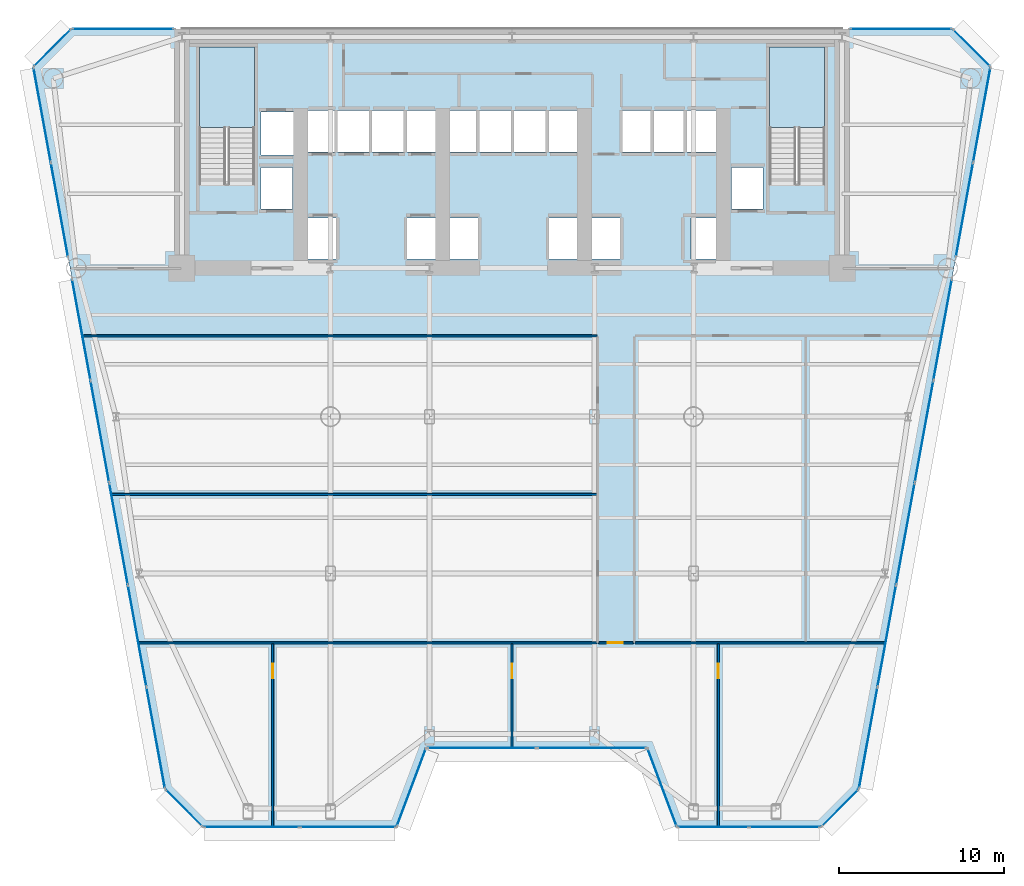
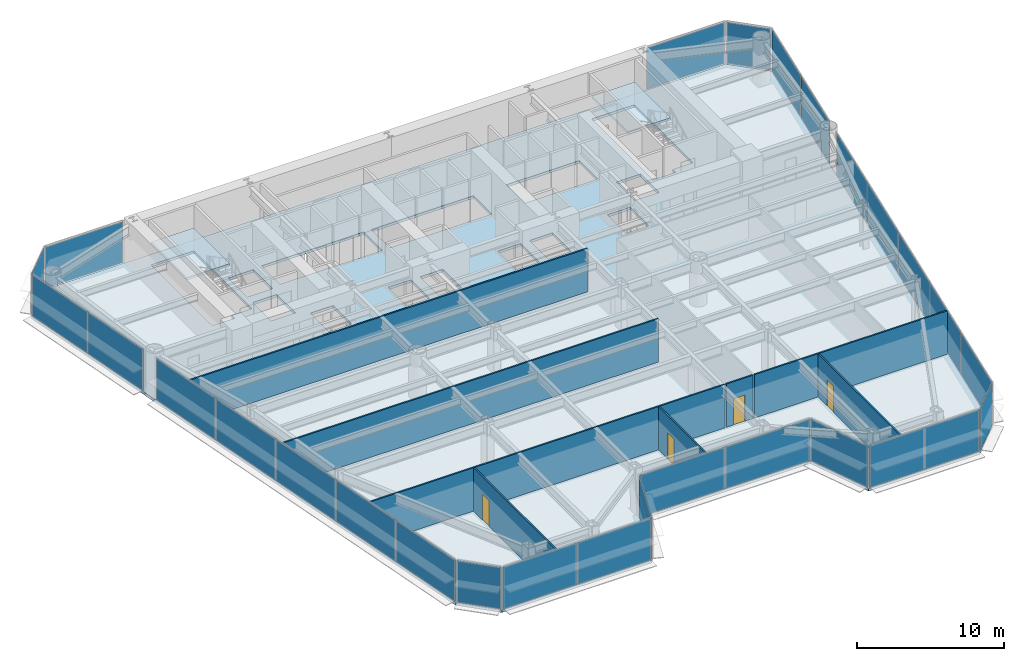
# One storey, part 7 of 14: 28 plates, 8 walls, 4 doors, 3 slabs, 4 openings, 17 elements without a shape of their own.
"""IFC4 building model written with IfcOpenShell, lengths in metres."""

from ifc_helpers import new_model, si_unit, direction, frame, frame_2d, origin, origin_2d, place, context, subcontext, project, spatial, polyline, rectangle, outline, extrude, source, transform, mapped, material, layer, layer_set, type_object, element, fill, aggregate, save


model = new_model("IFC4")

# Units and contexts
model_context = context("Model", 3, precision=1e-05, world=origin(), true_north=direction((0.0, 1.0)))
body_context = subcontext(model_context, "Body", "Model", "MODEL_VIEW")
ifc_project = project(units=[si_unit("LENGTHUNIT", "METRE"), si_unit("AREAUNIT", "SQUARE_METRE"), si_unit("VOLUMEUNIT", "CUBIC_METRE"), si_unit("PLANEANGLEUNIT", "RADIAN"), si_unit("MASSUNIT", "GRAM", prefix="KILO")], contexts=[model_context])

# Site, building, storey
site_placement = place(None, origin())
site = spatial("IfcSite", under=ifc_project, at=site_placement, CompositionType="ELEMENT")
building_placement = place(site_placement, origin())
building = spatial("IfcBuilding", under=site, at=building_placement, Name="Vaeldorn Concourse Tower", CompositionType="ELEMENT")
storey_placement = place(building_placement, frame((0.0, 0.0, 60.60009765625)))
storey = spatial("IfcBuildingStorey", under=building, at=storey_placement, Name="L15", CompositionType="ELEMENT", Elevation=60.60009765625)

# Stair, slab
ifc_material_1 = material(Name="Precast concrete C40/50", Category="concrete")
stair_type = type_object("IfcStairType", Name="STR-DOG-24x158", PredefinedType="HALF_TURN_STAIR", material=ifc_material_1)
stair_1_placement = place(storey_placement, origin())
stair_1 = element("IfcStair", 1, at=stair_1_placement, inside=storey, type_object=stair_type, Name="L15 West Core Exit Stair ST-1", PredefinedType="HALF_TURN_STAIR")
ifc_material_2 = material(Name="Concrete C40/50", Category="concrete")
ifc_layer_1 = layer(ifc_material_2, 0.199951171875)
ifc_layer_set_1 = layer_set([ifc_layer_1], Name="Concrete C40/50")
slab_type_1 = type_object("IfcSlabType", Name="SL-STAIR-LANDING", PredefinedType="LANDING", material=ifc_layer_set_1)
slab_1_placement = place(storey_placement, frame((0.0, 0.0, 1.699951171875)))
slab_1 = element("IfcSlab", 2, at=slab_1_placement, type_object=slab_type_1, Name="ST-1 landing 1", PredefinedType="LANDING", context=body_context, shape_type="SweptSolid", body=[
    extrude(outline(polyline([(18.39990234375, 45.010009765625), (18.39990234375, 49.89990234375), (15.050048828125, 49.89990234375), (15.050048828125, 45.010009765625), (18.39990234375, 45.010009765625)])), origin(), (0.0, 0.0, 1.0), 0.199951171875),
])
aggregate(stair_1, [slab_1])

stair_2_placement = place(storey_placement, origin())
stair_2 = element("IfcStair", 3, at=stair_2_placement, inside=storey, type_object=stair_type, Name="L15 East Core Exit Stair ST-2", PredefinedType="HALF_TURN_STAIR")
slab_2_placement = place(storey_placement, frame((0.0, 0.0, 1.699951171875)))
slab_2 = element("IfcSlab", 4, at=slab_2_placement, type_object=slab_type_1, Name="ST-2 landing 1", PredefinedType="LANDING", context=body_context, shape_type="SweptSolid", body=[
    extrude(outline(polyline([(52.949951171875, 45.010009765625), (52.949951171875, 49.89990234375), (49.60009765625, 49.89990234375), (49.60009765625, 45.010009765625), (52.949951171875, 45.010009765625)])), origin(), (0.0, 0.0, 1.0), 0.199951171875),
])
aggregate(stair_2, [slab_2])

# Slab
ifc_layer_2 = layer(ifc_material_2, 0.219970703125)
ifc_layer_set_2 = layer_set([ifc_layer_2], Name="Concrete C40/50")
slab_type_2 = type_object("IfcSlabType", Name="SL-TYP-220", PredefinedType="FLOOR", material=ifc_layer_set_2)
slab_3_placement = place(storey_placement, frame((0.0, 0.0, -0.22021484375)))
element("IfcSlab", 5, at=slab_3_placement, inside=storey, type_object=slab_type_2, Name="Structural Floor Slab L15", PredefinedType="FLOOR", context=body_context, shape_type="SweptSolid", body=[
    extrude(outline(polyline([(15.281005859375, 2.6298828125), (27.0, 2.6298828125), (28.800048828125, 7.4296875), (42.199951171875, 7.4296875), (44.0, 2.6298828125), (52.718994140625, 2.6298828125), (55.018798828125, 4.9296875), (63.0, 48.699951171875), (60.699951171875, 51.0), (7.300048828125, 51.0), (5.0, 48.699951171875), (12.981201171875, 4.9296875), (15.281005859375, 2.6298828125)]), holes=[polyline([(18.39990234375, 42.0), (18.39990234375, 49.89990234375), (15.050048828125, 49.89990234375), (15.050048828125, 41.60009765625), (16.800048828125, 41.60009765625), (16.800048828125, 42.0), (18.39990234375, 42.0)]), polyline([(52.949951171875, 42.0), (52.949951171875, 49.89990234375), (49.60009765625, 49.89990234375), (49.60009765625, 41.60009765625), (51.35009765625, 41.60009765625), (51.35009765625, 42.0), (52.949951171875, 42.0)]), polyline([(21.550048828125, 37.050048828125), (23.35009765625, 37.050048828125), (23.35009765625, 39.550048828125), (21.550048828125, 39.550048828125), (21.550048828125, 37.050048828125)]), polyline([(27.64990234375, 37.050048828125), (29.449951171875, 37.050048828125), (29.449951171875, 39.550048828125), (27.64990234375, 39.550048828125), (27.64990234375, 37.050048828125)]), polyline([(21.5, 43.550048828125), (29.5, 43.550048828125), (29.5, 46.050048828125), (21.5, 46.050048828125), (21.5, 43.550048828125)]), polyline([(30.14990234375, 37.050048828125), (31.949951171875, 37.050048828125), (31.949951171875, 39.550048828125), (30.14990234375, 39.550048828125), (30.14990234375, 37.050048828125)]), polyline([(36.25, 37.050048828125), (38.050048828125, 37.050048828125), (38.050048828125, 39.550048828125), (36.25, 39.550048828125), (36.25, 37.050048828125)]), polyline([(30.10009765625, 43.550048828125), (38.10009765625, 43.550048828125), (38.10009765625, 46.050048828125), (30.10009765625, 46.050048828125), (30.10009765625, 43.550048828125)]), polyline([(38.75, 37.050048828125), (40.550048828125, 37.050048828125), (40.550048828125, 39.550048828125), (38.75, 39.550048828125), (38.75, 37.050048828125)]), polyline([(44.85009765625, 37.050048828125), (46.64990234375, 37.050048828125), (46.64990234375, 39.550048828125), (44.85009765625, 39.550048828125), (44.85009765625, 37.050048828125)]), polyline([(40.699951171875, 43.550048828125), (46.39990234375, 43.550048828125), (46.39990234375, 46.050048828125), (40.699951171875, 46.050048828125), (40.699951171875, 43.550048828125)]), polyline([(18.800048828125, 43.35009765625), (20.800048828125, 43.35009765625), (20.800048828125, 45.949951171875), (18.800048828125, 45.949951171875), (18.800048828125, 43.35009765625)]), polyline([(18.800048828125, 40.10009765625), (20.699951171875, 40.10009765625), (20.699951171875, 42.60009765625), (18.800048828125, 42.60009765625), (18.800048828125, 40.10009765625)]), polyline([(47.300048828125, 40.10009765625), (49.199951171875, 40.10009765625), (49.199951171875, 42.60009765625), (47.300048828125, 42.60009765625), (47.300048828125, 40.10009765625)])]), origin(), (0.0, 0.0, 1.0), 0.22021484375),
])

# Curtain wall, plate
ifc_material_3 = material(Name="Anodised Bronze Aluminium", Category="aluminium")
ifc_layer_3 = layer(ifc_material_3, 0.219970703125)
ifc_layer_set_3 = layer_set([ifc_layer_3], Name="Anodised Bronze Aluminium")
curtain_wall_type = type_object("IfcCurtainWallType", Name="CW-SYS-01", PredefinedType="NOTDEFINED", material=ifc_layer_set_3)
curtain_wall_1_placement = place(storey_placement, origin())
curtain_wall_1 = element("IfcCurtainWall", 6, at=curtain_wall_1_placement, inside=storey, type_object=curtain_wall_type, Name="Unitised Curtain Wall CW-L15-E02-1", PredefinedType="NOTDEFINED")
ifc_material_4 = material(Name="Bronze Tinted Low-E Insulated Glass", Category="glass")
ifc_layer_4 = layer(ifc_material_4, 0.031982421875)
ifc_layer_set_4 = layer_set([ifc_layer_4], Name="Bronze Tinted Low-E Insulated Glass")
plate_type = type_object("IfcPlateType", Name="CWP-VISION-32", PredefinedType="CURTAIN_PANEL", material=ifc_layer_set_4)
shared_shape_1 = source(origin(), body_context, "Body", "SweptSolid", [
    extrude(rectangle(XDim=4.976318359375, YDim=0.031982421875, at=origin_2d()), origin(), (0.0, 0.0, 1.0), 3.429931640625),
])
plate_1_placement = place(storey_placement, frame((27.89990234375, 5.02978515625, 0.07470703125), z_axis=(0.0, 0.0, 1.0), x_axis=(0.351123441595, 0.936329177566, 0.0)))
plate_1 = element("IfcPlate", 7, at=plate_1_placement, type_object=plate_type, Name="CW-01 panel 1.1", PredefinedType="CURTAIN_PANEL", context=body_context, shape_type="MappedRepresentation", body=[
    mapped(shared_shape_1, transform((0.0, 0.0, 0.0), scale=1.0)),
])
aggregate(curtain_wall_1, [plate_1])

curtain_wall_2_placement = place(storey_placement, origin())
curtain_wall_2 = element("IfcCurtainWall", 8, at=curtain_wall_2_placement, inside=storey, type_object=curtain_wall_type, Name="Unitised Curtain Wall CW-L15-E04-1", PredefinedType="NOTDEFINED")
plate_2_placement = place(storey_placement, frame((43.10009765625, 5.02978515625, 0.07470703125), z_axis=(0.0, 0.0, 1.0), x_axis=(0.351123441595, -0.936329177566, 0.0)))
plate_2 = element("IfcPlate", 9, at=plate_2_placement, type_object=plate_type, Name="CW-01 panel 1.1", PredefinedType="CURTAIN_PANEL", context=body_context, shape_type="MappedRepresentation", body=[
    mapped(shared_shape_1, transform((0.0, 0.0, 0.0), scale=1.0)),
])
aggregate(curtain_wall_2, [plate_2])

# Curtain wall, plates
curtain_wall_3_placement = place(storey_placement, origin())
curtain_wall_3 = element("IfcCurtainWall", 10, at=curtain_wall_3_placement, inside=storey, type_object=curtain_wall_type, Name="Unitised Curtain Wall CW-L15-E03-1", PredefinedType="NOTDEFINED")
shared_shape_2 = source(origin(), body_context, "Body", "SweptSolid", [
    extrude(rectangle(XDim=6.58740234375, YDim=0.031982421875, at=origin_2d()), origin(), (0.0, 0.0, 1.0), 3.429931640625),
])
plate_3_placement = place(storey_placement, frame((32.168701171875, 7.4296875, 0.07470703125), z_axis=(0.0, 0.0, 1.0), x_axis=(1.0, 0.0, 0.0)))
plate_3 = element("IfcPlate", 11, at=plate_3_placement, type_object=plate_type, Name="CW-01 panel 1.1", PredefinedType="CURTAIN_PANEL", context=body_context, shape_type="MappedRepresentation", body=[
    mapped(shared_shape_2, transform((0.0, 0.0, 0.0), scale=1.0)),
])
plate_4_placement = place(storey_placement, frame((38.831298828125, 7.4296875, 0.07470703125), z_axis=(0.0, 0.0, 1.0), x_axis=(1.0, 0.0, 0.0)))
plate_4 = element("IfcPlate", 12, at=plate_4_placement, type_object=plate_type, Name="CW-01 panel 2.1", PredefinedType="CURTAIN_PANEL", context=body_context, shape_type="MappedRepresentation", body=[
    mapped(shared_shape_2, transform((0.0, 0.0, 0.0), scale=1.0)),
])
aggregate(curtain_wall_3, [plate_3, plate_4])

# Curtain wall, plate
curtain_wall_4_placement = place(storey_placement, origin())
curtain_wall_4 = element("IfcCurtainWall", 13, at=curtain_wall_4_placement, inside=storey, type_object=curtain_wall_type, Name="Unitised Curtain Wall CW-L15-E06-1", PredefinedType="NOTDEFINED")
shared_shape_3 = source(origin(), body_context, "Body", "SweptSolid", [
    extrude(rectangle(XDim=3.102783203125, YDim=0.031982421875, at=origin_2d()), origin(), (0.0, 0.0, 1.0), 3.429931640625),
])
plate_5_placement = place(storey_placement, frame((53.868896484375, 3.77978515625, 0.07470703125), z_axis=(0.0, 0.0, 1.0), x_axis=(0.707106781187, 0.707106781187, 0.0)))
plate_5 = element("IfcPlate", 14, at=plate_5_placement, type_object=plate_type, Name="CW-01 panel 1.1", PredefinedType="CURTAIN_PANEL", context=body_context, shape_type="MappedRepresentation", body=[
    mapped(shared_shape_3, transform((0.0, 0.0, 0.0), scale=1.0)),
])
aggregate(curtain_wall_4, [plate_5])

curtain_wall_5_placement = place(storey_placement, origin())
curtain_wall_5 = element("IfcCurtainWall", 15, at=curtain_wall_5_placement, inside=storey, type_object=curtain_wall_type, Name="Unitised Curtain Wall CW-L15-E08-1", PredefinedType="NOTDEFINED")
plate_6_placement = place(storey_placement, frame((61.85009765625, 49.85009765625, 0.07470703125), z_axis=(0.0, 0.0, 1.0), x_axis=(-0.707106781187, 0.707106781187, 0.0)))
plate_6 = element("IfcPlate", 16, at=plate_6_placement, type_object=plate_type, Name="CW-01 panel 1.1", PredefinedType="CURTAIN_PANEL", context=body_context, shape_type="MappedRepresentation", body=[
    mapped(shared_shape_3, transform((0.0, 0.0, 0.0), scale=1.0)),
])
aggregate(curtain_wall_5, [plate_6])

curtain_wall_6_placement = place(storey_placement, origin())
curtain_wall_6 = element("IfcCurtainWall", 17, at=curtain_wall_6_placement, inside=storey, type_object=curtain_wall_type, Name="Unitised Curtain Wall CW-L15-E10-1", PredefinedType="NOTDEFINED")
plate_7_placement = place(storey_placement, frame((6.14990234375, 49.85009765625, 0.07470703125), z_axis=(0.0, 0.0, 1.0), x_axis=(-0.707106781187, -0.707106781187, 0.0)))
plate_7 = element("IfcPlate", 18, at=plate_7_placement, type_object=plate_type, Name="CW-01 panel 1.1", PredefinedType="CURTAIN_PANEL", context=body_context, shape_type="MappedRepresentation", body=[
    mapped(shared_shape_3, transform((0.0, 0.0, 0.0), scale=1.0)),
])
aggregate(curtain_wall_6, [plate_7])

curtain_wall_7_placement = place(storey_placement, origin())
curtain_wall_7 = element("IfcCurtainWall", 19, at=curtain_wall_7_placement, inside=storey, type_object=curtain_wall_type, Name="Unitised Curtain Wall CW-L15-E12-1", PredefinedType="NOTDEFINED")
plate_8_placement = place(storey_placement, frame((14.131103515625, 3.77978515625, 0.07470703125), z_axis=(0.0, 0.0, 1.0), x_axis=(0.707106781187, -0.707106781187, 0.0)))
plate_8 = element("IfcPlate", 20, at=plate_8_placement, type_object=plate_type, Name="CW-01 panel 1.1", PredefinedType="CURTAIN_PANEL", context=body_context, shape_type="MappedRepresentation", body=[
    mapped(shared_shape_3, transform((0.0, 0.0, 0.0), scale=1.0)),
])
aggregate(curtain_wall_7, [plate_8])

curtain_wall_8_placement = place(storey_placement, origin())
curtain_wall_8 = element("IfcCurtainWall", 21, at=curtain_wall_8_placement, inside=storey, type_object=curtain_wall_type, Name="Unitised Curtain Wall CW-L15-E09-1", PredefinedType="NOTDEFINED")
shared_shape_4 = source(origin(), body_context, "Body", "SweptSolid", [
    extrude(rectangle(XDim=6.10498046875, YDim=0.031982421875, at=origin_2d()), origin(), (0.0, 0.0, 1.0), 3.429931640625),
])
plate_9_placement = place(storey_placement, frame((57.572509765625, 51.0, 0.07470703125), z_axis=(0.0, 0.0, 1.0), x_axis=(-1.0, 0.0, 0.0)))
plate_9 = element("IfcPlate", 22, at=plate_9_placement, type_object=plate_type, Name="CW-01 panel 1.1", PredefinedType="CURTAIN_PANEL", context=body_context, shape_type="MappedRepresentation", body=[
    mapped(shared_shape_4, transform((0.0, 0.0, 0.0), scale=1.0)),
])
aggregate(curtain_wall_8, [plate_9])

curtain_wall_9_placement = place(storey_placement, origin())
curtain_wall_9 = element("IfcCurtainWall", 23, at=curtain_wall_9_placement, inside=storey, type_object=curtain_wall_type, Name="Unitised Curtain Wall CW-L15-E09-2", PredefinedType="NOTDEFINED")
plate_10_placement = place(storey_placement, frame((10.427490234375, 51.0, 0.07470703125), z_axis=(0.0, 0.0, 1.0), x_axis=(-1.0, 0.0, 0.0)))
plate_10 = element("IfcPlate", 24, at=plate_10_placement, type_object=plate_type, Name="CW-01 panel 1.1", PredefinedType="CURTAIN_PANEL", context=body_context, shape_type="MappedRepresentation", body=[
    mapped(shared_shape_4, transform((0.0, 0.0, 0.0), scale=1.0)),
])
aggregate(curtain_wall_9, [plate_10])

# Curtain wall, plates
curtain_wall_10_placement = place(storey_placement, origin())
curtain_wall_10 = element("IfcCurtainWall", 25, at=curtain_wall_10_placement, inside=storey, type_object=curtain_wall_type, Name="Unitised Curtain Wall CW-L15-E07-2", PredefinedType="NOTDEFINED")
shared_shape_5 = source(origin(), body_context, "Body", "SweptSolid", [
    extrude(rectangle(XDim=5.773193359375, YDim=0.031982421875, at=origin_2d()), origin(), (0.0, 0.0, 1.0), 3.429931640625),
])
plate_11_placement = place(storey_placement, frame((61.419677734375, 40.032958984375, 0.07470703125), z_axis=(0.0, 0.0, 1.0), x_axis=(0.179383298246, 0.983779259951, 0.0)))
plate_11 = element("IfcPlate", 26, at=plate_11_placement, type_object=plate_type, Name="CW-01 panel 1.1", PredefinedType="CURTAIN_PANEL", context=body_context, shape_type="MappedRepresentation", body=[
    mapped(shared_shape_5, transform((0.0, 0.0, 0.0), scale=1.0)),
])
plate_12_placement = place(storey_placement, frame((62.46875, 45.786376953125, 0.07470703125), z_axis=(0.0, 0.0, 1.0), x_axis=(0.179383298246, 0.983779259951, 0.0)))
plate_12 = element("IfcPlate", 27, at=plate_12_placement, type_object=plate_type, Name="CW-01 panel 2.1", PredefinedType="CURTAIN_PANEL", context=body_context, shape_type="MappedRepresentation", body=[
    mapped(shared_shape_5, transform((0.0, 0.0, 0.0), scale=1.0)),
])
aggregate(curtain_wall_10, [plate_11, plate_12])

curtain_wall_11_placement = place(storey_placement, origin())
curtain_wall_11 = element("IfcCurtainWall", 28, at=curtain_wall_11_placement, inside=storey, type_object=curtain_wall_type, Name="Unitised Curtain Wall CW-L15-E11-1", PredefinedType="NOTDEFINED")
plate_13_placement = place(storey_placement, frame((5.53125, 45.786376953125, 0.07470703125), z_axis=(0.0, 0.0, 1.0), x_axis=(0.179383298246, -0.983779259951, 0.0)))
plate_13 = element("IfcPlate", 29, at=plate_13_placement, type_object=plate_type, Name="CW-01 panel 1.1", PredefinedType="CURTAIN_PANEL", context=body_context, shape_type="MappedRepresentation", body=[
    mapped(shared_shape_5, transform((0.0, 0.0, 0.0), scale=1.0)),
])
plate_14_placement = place(storey_placement, frame((6.580322265625, 40.032958984375, 0.07470703125), z_axis=(0.0, 0.0, 1.0), x_axis=(0.179383298246, -0.983779259951, 0.0)))
plate_14 = element("IfcPlate", 30, at=plate_14_placement, type_object=plate_type, Name="CW-01 panel 2.1", PredefinedType="CURTAIN_PANEL", context=body_context, shape_type="MappedRepresentation", body=[
    mapped(shared_shape_5, transform((0.0, 0.0, 0.0), scale=1.0)),
])
aggregate(curtain_wall_11, [plate_13, plate_14])

curtain_wall_12_placement = place(storey_placement, origin())
curtain_wall_12 = element("IfcCurtainWall", 31, at=curtain_wall_12_placement, inside=storey, type_object=curtain_wall_type, Name="Unitised Curtain Wall CW-L15-E01-1", PredefinedType="NOTDEFINED")
shared_shape_6 = source(origin(), body_context, "Body", "SweptSolid", [
    extrude(rectangle(XDim=5.7470703125, YDim=0.031982421875, at=origin_2d()), origin(), (0.0, 0.0, 1.0), 3.429931640625),
])
plate_15_placement = place(storey_placement, frame((18.2294921875, 2.6298828125, 0.07470703125), z_axis=(0.0, 0.0, 1.0), x_axis=(1.0, 0.0, 0.0)))
plate_15 = element("IfcPlate", 32, at=plate_15_placement, type_object=plate_type, Name="CW-01 panel 1.1", PredefinedType="CURTAIN_PANEL", context=body_context, shape_type="MappedRepresentation", body=[
    mapped(shared_shape_6, transform((0.0, 0.0, 0.0), scale=1.0)),
])
plate_16_placement = place(storey_placement, frame((24.051513671875, 2.6298828125, 0.07470703125), z_axis=(0.0, 0.0, 1.0), x_axis=(1.0, 0.0, 0.0)))
plate_16 = element("IfcPlate", 33, at=plate_16_placement, type_object=plate_type, Name="CW-01 panel 2.1", PredefinedType="CURTAIN_PANEL", context=body_context, shape_type="MappedRepresentation", body=[
    mapped(shared_shape_6, transform((0.0, 0.0, 0.0), scale=1.0)),
])
aggregate(curtain_wall_12, [plate_15, plate_16])

curtain_wall_13_placement = place(storey_placement, origin())
curtain_wall_13 = element("IfcCurtainWall", 34, at=curtain_wall_13_placement, inside=storey, type_object=curtain_wall_type, Name="Unitised Curtain Wall CW-L15-E05-1", PredefinedType="NOTDEFINED")
shared_shape_7 = source(origin(), body_context, "Body", "SweptSolid", [
    extrude(rectangle(XDim=4.2470703125, YDim=0.031982421875, at=origin_2d()), origin(), (0.0, 0.0, 1.0), 3.429931640625),
])
plate_17_placement = place(storey_placement, frame((46.198486328125, 2.6298828125, 0.07470703125), z_axis=(0.0, 0.0, 1.0), x_axis=(1.0, 0.0, 0.0)))
plate_17 = element("IfcPlate", 35, at=plate_17_placement, type_object=plate_type, Name="CW-01 panel 1.1", PredefinedType="CURTAIN_PANEL", context=body_context, shape_type="MappedRepresentation", body=[
    mapped(shared_shape_7, transform((0.0, 0.0, 0.0), scale=1.0)),
])
plate_18_placement = place(storey_placement, frame((50.5205078125, 2.6298828125, 0.07470703125), z_axis=(0.0, 0.0, 1.0), x_axis=(1.0, 0.0, 0.0)))
plate_18 = element("IfcPlate", 36, at=plate_18_placement, type_object=plate_type, Name="CW-01 panel 2.1", PredefinedType="CURTAIN_PANEL", context=body_context, shape_type="MappedRepresentation", body=[
    mapped(shared_shape_7, transform((0.0, 0.0, 0.0), scale=1.0)),
])
aggregate(curtain_wall_13, [plate_17, plate_18])

curtain_wall_14_placement = place(storey_placement, origin())
curtain_wall_14 = element("IfcCurtainWall", 37, at=curtain_wall_14_placement, inside=storey, type_object=curtain_wall_type, Name="Unitised Curtain Wall CW-L15-E07-1", PredefinedType="NOTDEFINED")
shared_shape_8 = source(origin(), body_context, "Body", "SweptSolid", [
    extrude(rectangle(XDim=6.1796875, YDim=0.031982421875, at=origin_2d()), origin(), (0.0, 0.0, 1.0), 3.429931640625),
])
plate_19_placement = place(storey_placement, frame((55.586669921875, 8.043212890625, 0.07470703125), z_axis=(0.0, 0.0, 1.0), x_axis=(0.179383860553, 0.98377915742, 0.0)))
plate_19 = element("IfcPlate", 38, at=plate_19_placement, type_object=plate_type, Name="CW-01 panel 1.1", PredefinedType="CURTAIN_PANEL", context=body_context, shape_type="MappedRepresentation", body=[
    mapped(shared_shape_8, transform((0.0, 0.0, 0.0), scale=1.0)),
])
plate_20_placement = place(storey_placement, frame((60.0947265625, 32.76708984375, 0.07470703125), z_axis=(0.0, 0.0, 1.0), x_axis=(0.179383860553, 0.98377915742, 0.0)))
plate_20 = element("IfcPlate", 39, at=plate_20_placement, type_object=plate_type, Name="CW-01 panel 5.1", PredefinedType="CURTAIN_PANEL", context=body_context, shape_type="MappedRepresentation", body=[
    mapped(shared_shape_8, transform((0.0, 0.0, 0.0), scale=1.0)),
])

curtain_wall_15_placement = place(storey_placement, origin())
curtain_wall_15 = element("IfcCurtainWall", 40, at=curtain_wall_15_placement, inside=storey, type_object=curtain_wall_type, Name="Unitised Curtain Wall CW-L15-E11-2", PredefinedType="NOTDEFINED")
plate_21_placement = place(storey_placement, frame((7.9052734375, 32.76708984375, 0.07470703125), z_axis=(0.0, 0.0, 1.0), x_axis=(0.179383860553, -0.98377915742, 0.0)))
plate_21 = element("IfcPlate", 41, at=plate_21_placement, type_object=plate_type, Name="CW-01 panel 1.1", PredefinedType="CURTAIN_PANEL", context=body_context, shape_type="MappedRepresentation", body=[
    mapped(shared_shape_8, transform((0.0, 0.0, 0.0), scale=1.0)),
])
plate_22_placement = place(storey_placement, frame((12.413330078125, 8.043212890625, 0.07470703125), z_axis=(0.0, 0.0, 1.0), x_axis=(0.179383860553, -0.98377915742, 0.0)))
plate_22 = element("IfcPlate", 42, at=plate_22_placement, type_object=plate_type, Name="CW-01 panel 5.1", PredefinedType="CURTAIN_PANEL", context=body_context, shape_type="MappedRepresentation", body=[
    mapped(shared_shape_8, transform((0.0, 0.0, 0.0), scale=1.0)),
])

# Plate
shared_shape_9 = source(origin(), body_context, "Body", "SweptSolid", [
    extrude(rectangle(XDim=6.21728515625, YDim=0.031982421875, at=origin_2d()), origin(), (0.0, 0.0, 1.0), 3.429931640625),
])
plate_23_placement = place(storey_placement, frame((56.7119140625, 14.215087890625, 0.07470703125), z_axis=(0.0, 0.0, 1.0), x_axis=(0.179383860553, 0.98377915742, 0.0)))
plate_23 = element("IfcPlate", 43, at=plate_23_placement, type_object=plate_type, Name="CW-01 panel 2.1", PredefinedType="CURTAIN_PANEL", context=body_context, shape_type="MappedRepresentation", body=[
    mapped(shared_shape_9, transform((0.0, 0.0, 0.0), scale=1.0)),
])

plate_24_placement = place(storey_placement, frame((57.8408203125, 20.405029296875, 0.07470703125), z_axis=(0.0, 0.0, 1.0), x_axis=(0.179383860553, 0.98377915742, 0.0)))
plate_24 = element("IfcPlate", 44, at=plate_24_placement, type_object=plate_type, Name="CW-01 panel 3.1", PredefinedType="CURTAIN_PANEL", context=body_context, shape_type="MappedRepresentation", body=[
    mapped(shared_shape_9, transform((0.0, 0.0, 0.0), scale=1.0)),
])

plate_25_placement = place(storey_placement, frame((58.969482421875, 26.59521484375, 0.07470703125), z_axis=(0.0, 0.0, 1.0), x_axis=(0.179383860553, 0.98377915742, 0.0)))
plate_25 = element("IfcPlate", 45, at=plate_25_placement, type_object=plate_type, Name="CW-01 panel 4.1", PredefinedType="CURTAIN_PANEL", context=body_context, shape_type="MappedRepresentation", body=[
    mapped(shared_shape_9, transform((0.0, 0.0, 0.0), scale=1.0)),
])

aggregate(curtain_wall_14, [plate_19, plate_23, plate_24, plate_25, plate_20])

plate_26_placement = place(storey_placement, frame((9.030517578125, 26.59521484375, 0.07470703125), z_axis=(0.0, 0.0, 1.0), x_axis=(0.179383860553, -0.98377915742, 0.0)))
plate_26 = element("IfcPlate", 46, at=plate_26_placement, type_object=plate_type, Name="CW-01 panel 2.1", PredefinedType="CURTAIN_PANEL", context=body_context, shape_type="MappedRepresentation", body=[
    mapped(shared_shape_9, transform((0.0, 0.0, 0.0), scale=1.0)),
])

plate_27_placement = place(storey_placement, frame((10.1591796875, 20.405029296875, 0.07470703125), z_axis=(0.0, 0.0, 1.0), x_axis=(0.179383860553, -0.98377915742, 0.0)))
plate_27 = element("IfcPlate", 47, at=plate_27_placement, type_object=plate_type, Name="CW-01 panel 3.1", PredefinedType="CURTAIN_PANEL", context=body_context, shape_type="MappedRepresentation", body=[
    mapped(shared_shape_9, transform((0.0, 0.0, 0.0), scale=1.0)),
])

plate_28_placement = place(storey_placement, frame((11.2880859375, 14.215087890625, 0.07470703125), z_axis=(0.0, 0.0, 1.0), x_axis=(0.179383860553, -0.98377915742, 0.0)))
plate_28 = element("IfcPlate", 48, at=plate_28_placement, type_object=plate_type, Name="CW-01 panel 4.1", PredefinedType="CURTAIN_PANEL", context=body_context, shape_type="MappedRepresentation", body=[
    mapped(shared_shape_9, transform((0.0, 0.0, 0.0), scale=1.0)),
])

aggregate(curtain_wall_15, [plate_21, plate_26, plate_27, plate_28, plate_22])

# Wall
ifc_material_5 = material(Name="Gypsum Board Partition", Category="gypsum")
ifc_layer_5 = layer(ifc_material_5, 0.1201171875)
ifc_layer_set_5 = layer_set([ifc_layer_5], Name="Gypsum Board Partition")
wall_type = type_object("IfcWallType", Name="WL-PART-120", PredefinedType="PARTITIONING", material=ifc_layer_set_5)
wall_1_placement = place(storey_placement, frame((8.01220703125, 32.39990234375, 0.0), z_axis=(0.0, 0.0, 1.0), x_axis=(1.0, 0.0, 0.0)))
element("IfcWall", 49, at=wall_1_placement, inside=storey, type_object=wall_type, Name="Interior Wall PW-L15-C2SW", PredefinedType="PARTITIONING", context=body_context, shape_type="SweptSolid", body=[
    extrude(rectangle(XDim=31.127685546875, YDim=0.1201171875, at=frame_2d((15.56396484375, 0.0))), origin(), (0.0, 0.0, 1.0), 3.579833984375),
])

# Wall, opening, door
wall_2_placement = place(storey_placement, frame((39.260009765625, 13.800048828125, 0.0), z_axis=(0.0, 0.0, 1.0), x_axis=(1.0, 0.0, 0.0)))
wall_2 = element("IfcWall", 50, at=wall_2_placement, inside=storey, type_object=wall_type, Name="Interior Wall PW-L15-SP2S", PredefinedType="PARTITIONING", context=body_context, shape_type="SweptSolid", body=[
    extrude(rectangle(XDim=2.080078125, YDim=0.1201171875, at=frame_2d((1.0400390625, 0.0))), origin(), (0.0, 0.0, 1.0), 3.579833984375),
])
opening_1_placement = place(wall_2_placement, frame((0.550048828125, 0.0, 0.0)))
opening_1 = element("IfcOpeningElement", 51, at=opening_1_placement, cuts=wall_2, Name="Opening D-03", PredefinedType="OPENING", context=body_context, shape_type="SweptSolid", body=[
    extrude(rectangle(XDim=0.89990234375, YDim=2.14990234375, at=frame_2d((0.449951171875, 1.074951171875))), frame((0.0, 0.070068359375, 0.0), z_axis=(0.0, -1.0, 0.0), x_axis=(1.0, 0.0, 0.0)), (0.0, 0.0, 1.0), 0.14013671875),
])
ifc_material_6 = material(Name="Acoustic Bronze-Framed Glass Door", Category="glass")
door_type = type_object("IfcDoorType", Name="DR-INT-900", OperationType="NOTDEFINED", PredefinedType="DOOR", material=ifc_material_6)
shared_shape_10 = source(origin(), body_context, "Body", "SweptSolid", [
    extrude(rectangle(XDim=0.89990234375, YDim=2.14990234375, at=frame_2d((0.449951171875, 1.074951171875))), frame((0.0, 0.02490234375, 0.0), z_axis=(0.0, -1.0, 0.0), x_axis=(1.0, 0.0, 0.0)), (0.0, 0.0, 1.0), 0.050048828125),
])
door_1_placement = place(opening_1_placement, origin())
door_1 = element("IfcDoor", 52, at=door_1_placement, inside=storey, type_object=door_type, Name="Interior Door DR-L15-Z2SFM", OperationType="SINGLE_SWING_LEFT", OverallHeight=2.14990234375, OverallWidth=0.89990234375, PredefinedType="DOOR", context=body_context, shape_type="MappedRepresentation", body=[
    mapped(shared_shape_10, transform((0.0, 0.0, 0.0), scale=1.0)),
])
fill(opening_1, door_1)

# Walls
wall_3_placement = place(storey_placement, frame((11.40380859375, 13.800048828125, 0.0), z_axis=(0.0, 0.0, 1.0), x_axis=(1.0, 0.0, 0.0)))
element("IfcWall", 53, at=wall_3_placement, inside=storey, type_object=wall_type, Name="Interior Wall PW-L15-S2WL", PredefinedType="PARTITIONING", context=body_context, shape_type="SweptSolid", body=[
    extrude(rectangle(XDim=27.736083984375, YDim=0.1201171875, at=frame_2d((13.8681640625, 0.0))), origin(), (0.0, 0.0, 1.0), 3.579833984375),
])
wall_4_placement = place(storey_placement, frame((41.4599609375, 13.800048828125, 0.0), z_axis=(0.0, 0.0, 1.0), x_axis=(1.0, 0.0, 0.0)))
element("IfcWall", 54, at=wall_4_placement, inside=storey, type_object=wall_type, Name="Interior Wall PW-L15-S2EL", PredefinedType="PARTITIONING", context=body_context, shape_type="SweptSolid", body=[
    extrude(rectangle(XDim=15.13623046875, YDim=0.1201171875, at=frame_2d((7.568115234375, 0.0))), origin(), (0.0, 0.0, 1.0), 3.579833984375),
])

# Wall, opening, door
wall_5_placement = place(storey_placement, frame((19.5, 2.669921875, 0.0), z_axis=(0.0, 0.0, 1.0), x_axis=(0.0, 1.0, 0.0)))
wall_5 = element("IfcWall", 55, at=wall_5_placement, inside=storey, type_object=wall_type, Name="Interior Wall PW-L15-Z2SFX1", PredefinedType="PARTITIONING", context=body_context, shape_type="SweptSolid", body=[
    extrude(rectangle(XDim=11.070068359375, YDim=0.1201171875, at=frame_2d((5.53515625, 0.0))), origin(), (0.0, 0.0, 1.0), 3.579833984375),
])
opening_2_placement = place(wall_5_placement, frame((8.969970703125, 0.0, 0.0)))
opening_2 = element("IfcOpeningElement", 56, at=opening_2_placement, cuts=wall_5, Name="Opening D-03", PredefinedType="OPENING", context=body_context, shape_type="SweptSolid", body=[
    extrude(rectangle(XDim=0.89990234375, YDim=2.14990234375, at=frame_2d((0.449951171875, 1.074951171875))), frame((0.0, 0.070068359375, 0.0), z_axis=(0.0, -1.0, 0.0), x_axis=(1.0, 0.0, 0.0)), (0.0, 0.0, 1.0), 0.14013671875),
])
door_2_placement = place(opening_2_placement, origin())
door_2 = element("IfcDoor", 57, at=door_2_placement, inside=storey, type_object=door_type, Name="Interior Door DR-L15-Z2SFX1", OperationType="SINGLE_SWING_RIGHT", OverallHeight=2.14990234375, OverallWidth=0.89990234375, PredefinedType="DOOR", context=body_context, shape_type="MappedRepresentation", body=[
    mapped(shared_shape_10, transform((0.0, 0.0, 0.0), scale=1.0)),
])
fill(opening_2, door_2)

wall_6_placement = place(storey_placement, frame((34.0, 7.4697265625, 0.0), z_axis=(0.0, 0.0, 1.0), x_axis=(0.0, 1.0, 0.0)))
wall_6 = element("IfcWall", 58, at=wall_6_placement, inside=storey, type_object=wall_type, Name="Interior Wall PW-L15-Z2SFX2", PredefinedType="PARTITIONING", context=body_context, shape_type="SweptSolid", body=[
    extrude(rectangle(XDim=6.270263671875, YDim=0.1201171875, at=frame_2d((3.13525390625, 0.0))), origin(), (0.0, 0.0, 1.0), 3.579833984375),
])
opening_3_placement = place(wall_6_placement, frame((4.169921875, 0.0, 0.0)))
opening_3 = element("IfcOpeningElement", 59, at=opening_3_placement, cuts=wall_6, Name="Opening D-03", PredefinedType="OPENING", context=body_context, shape_type="SweptSolid", body=[
    extrude(rectangle(XDim=0.89990234375, YDim=2.14990234375, at=frame_2d((0.449951171875, 1.074951171875))), frame((0.0, 0.070068359375, 0.0), z_axis=(0.0, -1.0, 0.0), x_axis=(1.0, 0.0, 0.0)), (0.0, 0.0, 1.0), 0.14013671875),
])
door_3_placement = place(opening_3_placement, origin())
door_3 = element("IfcDoor", 60, at=door_3_placement, inside=storey, type_object=door_type, Name="Interior Door DR-L15-Z2SFX2", OperationType="SINGLE_SWING_LEFT", OverallHeight=2.14990234375, OverallWidth=0.89990234375, PredefinedType="DOOR", context=body_context, shape_type="MappedRepresentation", body=[
    mapped(shared_shape_10, transform((0.0, 0.0, 0.0), scale=1.0)),
])
fill(opening_3, door_3)

wall_7_placement = place(storey_placement, frame((46.5, 2.669921875, 0.0), z_axis=(0.0, 0.0, 1.0), x_axis=(0.0, 1.0, 0.0)))
wall_7 = element("IfcWall", 61, at=wall_7_placement, inside=storey, type_object=wall_type, Name="Interior Wall PW-L15-Z2SFX3", PredefinedType="PARTITIONING", context=body_context, shape_type="SweptSolid", body=[
    extrude(rectangle(XDim=11.070068359375, YDim=0.1201171875, at=frame_2d((5.53515625, 0.0))), origin(), (0.0, 0.0, 1.0), 3.579833984375),
])
opening_4_placement = place(wall_7_placement, frame((8.969970703125, 0.0, 0.0)))
opening_4 = element("IfcOpeningElement", 62, at=opening_4_placement, cuts=wall_7, Name="Opening D-03", PredefinedType="OPENING", context=body_context, shape_type="SweptSolid", body=[
    extrude(rectangle(XDim=0.89990234375, YDim=2.14990234375, at=frame_2d((0.449951171875, 1.074951171875))), frame((0.0, 0.070068359375, 0.0), z_axis=(0.0, -1.0, 0.0), x_axis=(1.0, 0.0, 0.0)), (0.0, 0.0, 1.0), 0.14013671875),
])
door_4_placement = place(opening_4_placement, origin())
door_4 = element("IfcDoor", 63, at=door_4_placement, inside=storey, type_object=door_type, Name="Interior Door DR-L15-Z2SFX3", OperationType="SINGLE_SWING_RIGHT", OverallHeight=2.14990234375, OverallWidth=0.89990234375, PredefinedType="DOOR", context=body_context, shape_type="MappedRepresentation", body=[
    mapped(shared_shape_10, transform((0.0, 0.0, 0.0), scale=1.0)),
])
fill(opening_4, door_4)

# Wall
wall_8_placement = place(storey_placement, frame((9.7626953125, 22.800048828125, 0.0), z_axis=(0.0, 0.0, 1.0), x_axis=(1.0, 0.0, 0.0)))
element("IfcWall", 64, at=wall_8_placement, inside=storey, type_object=wall_type, Name="Interior Wall PW-L15-Z2WY1", PredefinedType="PARTITIONING", context=body_context, shape_type="SweptSolid", body=[
    extrude(rectangle(XDim=29.377197265625, YDim=0.1201171875, at=frame_2d((14.6884765625, 0.0))), origin(), (0.0, 0.0, 1.0), 3.579833984375),
])

save(model, "model.ifc")
